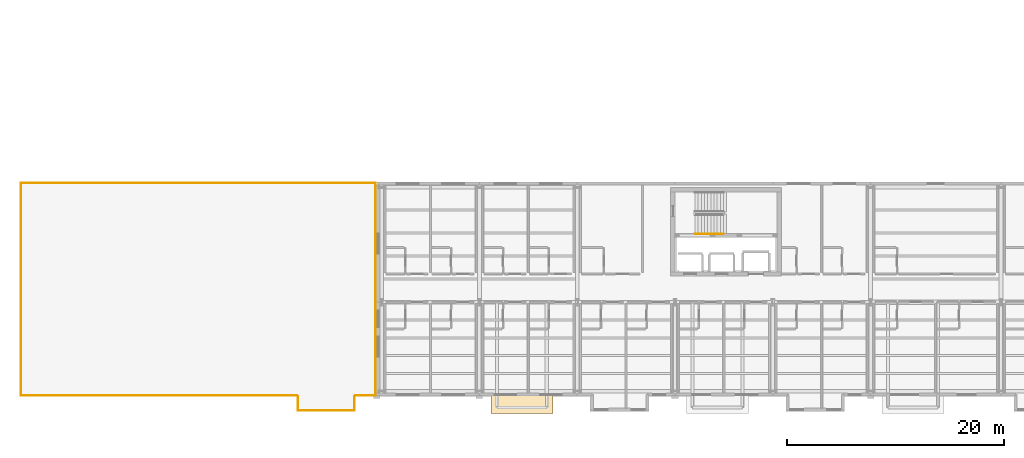
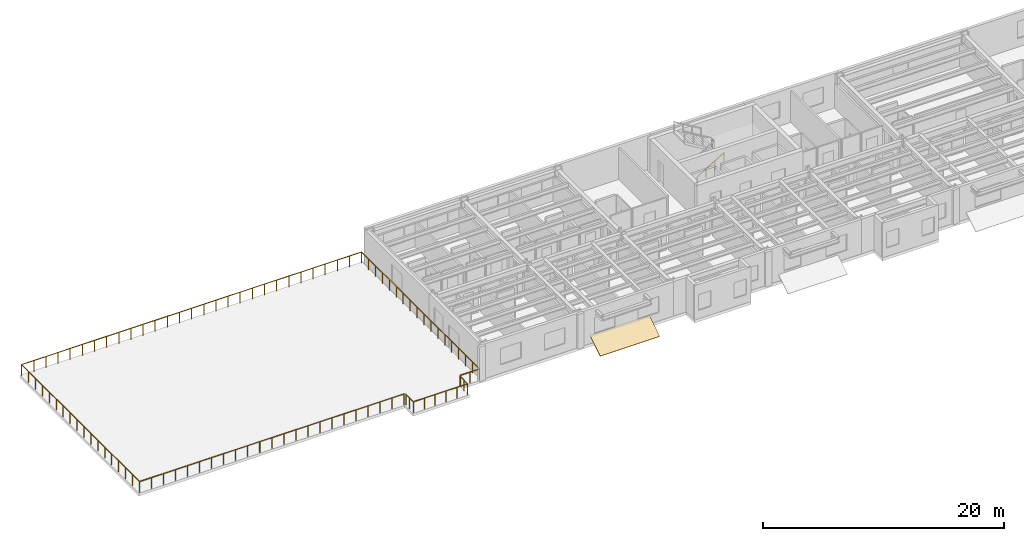
# One storey, part 20 of 23: 9 railings, 1 covering.
"""IFC4 building model written with IfcOpenShell, lengths in metres."""

import ifcopenshell
import ifcopenshell.guid

model = None  # the IFC model being written
_history = None  # IfcOwnerHistory: only IFC2X3 demands one
_inside = {}  # id of a spatial element -> (the spatial element, [elements in it])
_under = {}  # id of a project, library or spatial element -> (it, [spatial elements below it])
_declared = {}  # id of a project -> (the project, [libraries it declares])
_typed = {}  # id of a type object -> (the type object, [elements of that type])
_made_of = {}  # id of a material, layer set ... -> (it, [elements and type objects made of it])


def new_model(schema):
    """Start an empty IFC model of exactly this schema.

    Asked for "IFC4X3", IfcOpenShell would pick the latest addendum, in which some entities
    have other attributes; the version numbers below select the first issue.
    IFC2X3 requires an IfcOwnerHistory on every rooted entity: one is made here for all.
    """
    global model, _history
    if schema == "IFC4X3":
        model = ifcopenshell.file(schema_version=(4, 3, 0, 0))
    else:
        model = ifcopenshell.file(schema=schema)
    _inside.clear()
    _under.clear()
    _declared.clear()
    _typed.clear()
    _made_of.clear()
    _history = None
    if model.schema == "IFC2X3":
        org = make("IfcOrganization", Name="unknown")
        user = make(
            "IfcPersonAndOrganization",
            ThePerson=make("IfcPerson", FamilyName="unknown"),
            TheOrganization=org,
        )
        app = make(
            "IfcApplication",
            ApplicationDeveloper=org,
            Version="unknown",
            ApplicationFullName="unknown",
            ApplicationIdentifier="unknown",
        )
        _history = make(
            "IfcOwnerHistory",
            OwningUser=user,
            OwningApplication=app,
            ChangeAction="ADDED",
            CreationDate=0,
        )
    return model


def make(cls, **values):
    """One entity of the class cls with the attributes given. An attribute that is None is left unset."""
    return model.create_entity(
        cls, **{name: value for name, value in values.items() if value is not None}
    )


def rooted(cls, **values):
    """An entity with a GlobalId (a new one), such as an element, a storey or a relation."""
    return make(cls, GlobalId=ifcopenshell.guid.new(), OwnerHistory=_history, **values)


def si_unit(unit_type, name, prefix=None):
    """IfcSIUnit, for example si_unit("LENGTHUNIT", "METRE", prefix="MILLI")."""
    return make("IfcSIUnit", UnitType=unit_type, Prefix=prefix, Name=name)


def assignment(units):
    """IfcUnitAssignment: the units of a project."""
    return None if units is None else make("IfcUnitAssignment", Units=units)


def point(xyz):
    """IfcCartesianPoint."""
    return None if xyz is None else make("IfcCartesianPoint", Coordinates=xyz)


def direction(xyz):
    """IfcDirection."""
    return None if xyz is None else make("IfcDirection", DirectionRatios=xyz)


def frame(location, z_axis=None, x_axis=None):
    """IfcAxis2Placement3D, a coordinate frame: its origin and axes. An axis left out is left unset."""
    return make(
        "IfcAxis2Placement3D",
        Location=point(location),
        Axis=direction(z_axis),
        RefDirection=direction(x_axis),
    )


def frame_2d(location, x_axis=None):
    """IfcAxis2Placement2D, a coordinate frame in the plane: its origin and x axis."""
    return make(
        "IfcAxis2Placement2D", Location=point(location), RefDirection=direction(x_axis)
    )


def origin():
    """The frame at (0, 0, 0) with its axes left unset."""
    return frame((0.0, 0.0, 0.0))


def origin_2d():
    """The frame at (0, 0) in the plane with its x axis left unset."""
    return frame_2d((0.0, 0.0))


def place(relative_to, where):
    """IfcLocalPlacement: puts the frame where relative to a parent placement (None: the world)."""
    return make(
        "IfcLocalPlacement", PlacementRelTo=relative_to, RelativePlacement=where
    )


def context(
    kind, dimensions, precision=None, world=None, true_north=None, identifier=None
):
    """IfcGeometricRepresentationContext, for example the 3D "Model" context."""
    return make(
        "IfcGeometricRepresentationContext",
        ContextIdentifier=identifier,
        ContextType=kind,
        CoordinateSpaceDimension=dimensions,
        Precision=precision,
        WorldCoordinateSystem=world,
        TrueNorth=true_north,
    )


def subcontext(parent, identifier, kind, view, scale=None):
    """IfcGeometricRepresentationSubContext, for example "Body" below "Model"."""
    return make(
        "IfcGeometricRepresentationSubContext",
        ContextIdentifier=identifier,
        ContextType=kind,
        ParentContext=parent,
        TargetScale=scale,
        TargetView=view,
    )


def project(units=None, contexts=None):
    """IfcProject with its units and contexts."""
    return rooted(
        "IfcProject",
        Name="project",
        RepresentationContexts=contexts,
        UnitsInContext=assignment(units),
    )


def spatial(cls, under=None, at=None, **own):
    """A site, building, storey or space (cls), placed at a placement, below another one or the project."""
    s = rooted(cls, ObjectPlacement=at, **own)
    if under is not None:
        _under.setdefault(under.id(), (under, []))[1].append(s)
    return s


def polyline(points):
    """IfcPolyline through the points."""
    return make("IfcPolyline", Points=[point(p) for p in points])


def profile(cls, at=None, kind="AREA", **sizes):
    """A parametric profile (cls). Its sizes go by their IFC names, for example OverallWidth=200.0."""
    return make(cls, ProfileType=kind, Position=at, **sizes)


def circle(**sizes):
    """IfcCircleProfileDef."""
    return profile("IfcCircleProfileDef", **sizes)


def outline(outer, holes=None, kind="AREA"):
    """IfcArbitraryClosedProfileDef: a profile drawn as a closed curve; with holes, ...WithVoids."""
    if holes is None:
        return make("IfcArbitraryClosedProfileDef", ProfileType=kind, OuterCurve=outer)
    return make(
        "IfcArbitraryProfileDefWithVoids",
        ProfileType=kind,
        OuterCurve=outer,
        InnerCurves=holes,
    )


def extrude(swept, where, along, depth):
    """IfcExtrudedAreaSolid: the profile swept, set in the frame where, extruded along a direction by depth."""
    return make(
        "IfcExtrudedAreaSolid",
        SweptArea=swept,
        Position=where,
        ExtrudedDirection=direction(along),
        Depth=depth,
    )


def shape(context_of_items, identifier, shape_type, items):
    """IfcShapeRepresentation: the items that make up one representation, for example the "Body"."""
    return make(
        "IfcShapeRepresentation",
        ContextOfItems=context_of_items,
        RepresentationIdentifier=identifier,
        RepresentationType=shape_type,
        Items=items,
    )


def material(Name=None, Category=None):
    """IfcMaterial."""
    return make("IfcMaterial", Name=Name, Category=Category)


def layer(
    of_material, thickness, ventilated=None, Name=None, Category=None, Priority=None
):
    """IfcMaterialLayer: one layer of a wall or slab, of a material (None: an air gap)."""
    return make(
        "IfcMaterialLayer",
        Material=of_material,
        LayerThickness=thickness,
        IsVentilated=ventilated,
        Name=Name,
        Category=Category,
        Priority=Priority,
    )


def layer_set(layers, Name=None):
    """IfcMaterialLayerSet."""
    return make("IfcMaterialLayerSet", MaterialLayers=layers, LayerSetName=Name)


def made_of(thing, what):
    """Note that an element or type object is made of a material, layer set ...; save() writes the relation."""
    if what is not None:
        _made_of.setdefault(what.id(), (what, []))[1].append(thing)
    return thing


def type_object(cls, material=None, **own):
    """A type object (cls), such as IfcWallType, which elements share."""
    return made_of(rooted(cls, **own), material)


def element(
    cls,
    number,
    at=None,
    inside=None,
    cuts=None,
    type_object=None,
    material=None,
    context=None,
    identifier="Body",
    shape_type=None,
    held_by="IfcProductDefinitionShape",
    body=None,
    shapes=None,
    **own,
):
    """One element of the class cls, such as IfcWall. Its Tag is "e" and its number.

    at: its placement. inside: the storey or other place that contains it. cuts: it is an
    opening in that element (IfcRelVoidsElement). A single representation is given by context,
    identifier, shape_type and body (its items); several are given by shapes. held_by: the class
    of the entity that holds the representations. save() writes the other relations.
    """
    e = rooted(cls, Tag="e%d" % number, ObjectPlacement=at, **own)
    if body is not None:
        shapes = [shape(context, identifier, shape_type, body)]
    if shapes is not None:
        e.Representation = make(held_by, Representations=shapes)
    if inside is not None:
        _inside.setdefault(inside.id(), (inside, []))[1].append(e)
    if cuts is not None:
        rooted(
            "IfcRelVoidsElement", RelatingBuildingElement=cuts, RelatedOpeningElement=e
        )
    if type_object is not None:
        _typed.setdefault(type_object.id(), (type_object, []))[1].append(e)
    return made_of(e, material)


def aggregate(whole, parts):
    """IfcRelAggregates: a whole, such as a stair, and the parts it consists of."""
    return rooted("IfcRelAggregates", RelatingObject=whole, RelatedObjects=parts)


def save(model, path):
    """Write the relations noted so far, then the file.

    IfcRelAggregates (storeys below a building ...), IfcRelContainedInSpatialStructure (elements
    in a storey), IfcRelDefinesByType, IfcRelAssociatesMaterial and IfcRelDeclares: one each for
    every whole, place, type object, material and project.
    """
    for whole, parts in _under.values():
        aggregate(whole, parts)
    for where, things in _inside.values():
        rooted(
            "IfcRelContainedInSpatialStructure",
            RelatedElements=things,
            RelatingStructure=where,
        )
    for kind, things in _typed.values():
        rooted("IfcRelDefinesByType", RelatedObjects=things, RelatingType=kind)
    for what, things in _made_of.values():
        rooted("IfcRelAssociatesMaterial", RelatedObjects=things, RelatingMaterial=what)
    for by, libraries in _declared.values():
        rooted("IfcRelDeclares", RelatingContext=by, RelatedDefinitions=libraries)
    model.write(path)


model = new_model("IFC4")

# Units and contexts
model_context = context("Model", 3, precision=1e-05, world=origin(), true_north=direction((0.0, 1.0)))
body_context = subcontext(model_context, "Body", "Model", "MODEL_VIEW")
ifc_project = project(units=[si_unit("LENGTHUNIT", "METRE"), si_unit("AREAUNIT", "SQUARE_METRE"), si_unit("VOLUMEUNIT", "CUBIC_METRE"), si_unit("PLANEANGLEUNIT", "RADIAN"), si_unit("MASSUNIT", "GRAM", prefix="KILO")], contexts=[model_context])

# Site, building, storey
site_placement = place(None, origin())
site = spatial("IfcSite", under=ifc_project, at=site_placement, CompositionType="ELEMENT")
building_placement = place(site_placement, origin())
building = spatial("IfcBuilding", under=site, at=building_placement, Name="Sollismere Congress Hotel", CompositionType="ELEMENT")
storey_placement = place(building_placement, frame((0.0, 0.0, 30.60009765625)))
storey = spatial("IfcBuildingStorey", under=building, at=storey_placement, Name="L07", CompositionType="ELEMENT", Elevation=30.60009765625)

# Covering
ifc_material_1 = material(Name="Standing-Seam Titanium-Zinc Roof Assembly")
ifc_layer = layer(ifc_material_1, 0.054931640625, Name="Standing-Seam Titanium-Zinc Roof Assembly")
ifc_layer_set = layer_set([ifc_layer], Name="Standing-Seam Titanium-Zinc Roof Assembly")
covering_type = type_object("IfcCoveringType", Name="CV-RFZNC", PredefinedType="ROOFING", material=ifc_layer_set)
covering_placement = place(storey_placement, frame((77.050048828125, -2.008056640625, -0.373291015625), z_axis=(0.0, -0.525209771298, 0.850972794003), x_axis=(1.0, 0.0, 0.0)))
element("IfcCovering", 1, at=covering_placement, inside=storey, type_object=covering_type, Name="Cikma bay sacak hood SL-CKH-16", PredefinedType="ROOFING", context=body_context, shape_type="SweptSolid", body=[
    extrude(outline(polyline([(0.0, 0.0), (5.699951171875, 0.0), (5.699951171875, 2.056396484375), (0.0, 2.056396484375), (0.0, 0.0)])), origin(), (0.0, 0.0, 1.0), 0.080078125),
])

# Railings
ifc_material_2 = material(Name="Laminated Safety Glass & Bronze Cap Rail", Category="glass")
railing_type_1 = type_object("IfcRailingType", Name="RL-GD112", PredefinedType="GUARDRAIL", material=ifc_material_2)
railing_1_placement = place(storey_placement, frame((64.5, -1.75, 0.0)))
element("IfcRailing", 2, at=railing_1_placement, inside=storey, type_object=railing_type_1, Name="RLG-GD-L07-008", PredefinedType="GUARDRAIL", context=body_context, shape_type="SweptSolid", body=[
    extrude(circle(Radius=0.02392578125, at=origin_2d()), frame((0.0, 0.0, 1.09619140625), z_axis=(-1.0, 0.0, 0.0), x_axis=(0.0, -1.0, 0.0)), (0.0, 0.0, 1.0), 5.199951171875),
    extrude(circle(Radius=0.02099609375, at=origin_2d()), origin(), (0.0, 0.0, 1.0), 1.072021484375),
    extrude(circle(Radius=0.02099609375, at=origin_2d()), frame((-1.0400390625, 0.0, 0.0)), (0.0, 0.0, 1.0), 1.072021484375),
    extrude(circle(Radius=0.02099609375, at=origin_2d()), frame((-2.080078125, 0.0, 0.0)), (0.0, 0.0, 1.0), 1.072021484375),
    extrude(circle(Radius=0.02099609375, at=origin_2d()), frame((-3.119873046875, 0.0, 0.0)), (0.0, 0.0, 1.0), 1.072021484375),
    extrude(circle(Radius=0.02099609375, at=origin_2d()), frame((-4.159912109375, 0.0, 0.0)), (0.0, 0.0, 1.0), 1.072021484375),
    extrude(circle(Radius=0.02099609375, at=origin_2d()), frame((-5.199951171875, 0.0, 0.0)), (0.0, 0.0, 1.0), 1.072021484375),
])
railing_2_placement = place(storey_placement, frame((59.300048828125, -1.75, 0.0)))
element("IfcRailing", 3, at=railing_2_placement, inside=storey, type_object=railing_type_1, Name="RLG-GD-L07-009", PredefinedType="GUARDRAIL", context=body_context, shape_type="SweptSolid", body=[
    extrude(circle(Radius=0.02392578125, at=origin_2d()), frame((0.0, 0.0, 1.09619140625), z_axis=(0.0, 1.0, 0.0), x_axis=(-1.0, 0.0, 0.0)), (0.0, 0.0, 1.0), 1.27001953125),
    extrude(circle(Radius=0.02099609375, at=origin_2d()), origin(), (0.0, 0.0, 1.0), 1.072021484375),
    extrude(circle(Radius=0.02099609375, at=origin_2d()), frame((0.0, 0.635009765625, 0.0)), (0.0, 0.0, 1.0), 1.072021484375),
    extrude(circle(Radius=0.02099609375, at=origin_2d()), frame((0.0, 1.27001953125, 0.0)), (0.0, 0.0, 1.0), 1.072021484375),
])
railing_3_placement = place(storey_placement, frame((59.199951171875, -0.3798828125, 0.0)))
element("IfcRailing", 4, at=railing_3_placement, inside=storey, type_object=railing_type_1, Name="RLG-GD-L07-010", PredefinedType="GUARDRAIL", context=body_context, shape_type="SweptSolid", body=[
    extrude(circle(Radius=0.02392578125, at=origin_2d()), frame((0.0, 0.0, 1.09619140625), z_axis=(-1.0, 0.0, 0.0), x_axis=(0.0, -1.0, 0.0)), (0.0, 0.0, 1.0), 25.3798828125),
    extrude(circle(Radius=0.02099609375, at=origin_2d()), origin(), (0.0, 0.0, 1.0), 1.072021484375),
    extrude(circle(Radius=0.02099609375, at=origin_2d()), frame((-1.153564453125, 0.0, 0.0)), (0.0, 0.0, 1.0), 1.072021484375),
    extrude(circle(Radius=0.02099609375, at=origin_2d()), frame((-2.307373046875, 0.0, 0.0)), (0.0, 0.0, 1.0), 1.072021484375),
    extrude(circle(Radius=0.02099609375, at=origin_2d()), frame((-3.4609375, 0.0, 0.0)), (0.0, 0.0, 1.0), 1.072021484375),
    extrude(circle(Radius=0.02099609375, at=origin_2d()), frame((-4.614501953125, 0.0, 0.0)), (0.0, 0.0, 1.0), 1.072021484375),
    extrude(circle(Radius=0.02099609375, at=origin_2d()), frame((-5.76806640625, 0.0, 0.0)), (0.0, 0.0, 1.0), 1.072021484375),
    extrude(circle(Radius=0.02099609375, at=origin_2d()), frame((-6.921875, 0.0, 0.0)), (0.0, 0.0, 1.0), 1.072021484375),
    extrude(circle(Radius=0.02099609375, at=origin_2d()), frame((-8.075439453125, 0.0, 0.0)), (0.0, 0.0, 1.0), 1.072021484375),
    extrude(circle(Radius=0.02099609375, at=origin_2d()), frame((-9.22900390625, 0.0, 0.0)), (0.0, 0.0, 1.0), 1.072021484375),
    extrude(circle(Radius=0.02099609375, at=origin_2d()), frame((-10.382568359375, 0.0, 0.0)), (0.0, 0.0, 1.0), 1.072021484375),
    extrude(circle(Radius=0.02099609375, at=origin_2d()), frame((-11.536376953125, 0.0, 0.0)), (0.0, 0.0, 1.0), 1.072021484375),
    extrude(circle(Radius=0.02099609375, at=origin_2d()), frame((-12.68994140625, 0.0, 0.0)), (0.0, 0.0, 1.0), 1.072021484375),
    extrude(circle(Radius=0.02099609375, at=origin_2d()), frame((-13.843505859375, 0.0, 0.0)), (0.0, 0.0, 1.0), 1.072021484375),
    extrude(circle(Radius=0.02099609375, at=origin_2d()), frame((-14.997314453125, 0.0, 0.0)), (0.0, 0.0, 1.0), 1.072021484375),
    extrude(circle(Radius=0.02099609375, at=origin_2d()), frame((-16.15087890625, 0.0, 0.0)), (0.0, 0.0, 1.0), 1.072021484375),
    extrude(circle(Radius=0.02099609375, at=origin_2d()), frame((-17.304443359375, 0.0, 0.0)), (0.0, 0.0, 1.0), 1.072021484375),
    extrude(circle(Radius=0.02099609375, at=origin_2d()), frame((-18.4580078125, 0.0, 0.0)), (0.0, 0.0, 1.0), 1.072021484375),
    extrude(circle(Radius=0.02099609375, at=origin_2d()), frame((-19.61181640625, 0.0, 0.0)), (0.0, 0.0, 1.0), 1.072021484375),
    extrude(circle(Radius=0.02099609375, at=origin_2d()), frame((-20.765380859375, 0.0, 0.0)), (0.0, 0.0, 1.0), 1.072021484375),
    extrude(circle(Radius=0.02099609375, at=origin_2d()), frame((-21.9189453125, 0.0, 0.0)), (0.0, 0.0, 1.0), 1.072021484375),
    extrude(circle(Radius=0.02099609375, at=origin_2d()), frame((-23.072509765625, 0.0, 0.0)), (0.0, 0.0, 1.0), 1.072021484375),
    extrude(circle(Radius=0.02099609375, at=origin_2d()), frame((-24.226318359375, 0.0, 0.0)), (0.0, 0.0, 1.0), 1.072021484375),
    extrude(circle(Radius=0.02099609375, at=origin_2d()), frame((-25.3798828125, 0.0, 0.0)), (0.0, 0.0, 1.0), 1.072021484375),
])
railing_4_placement = place(storey_placement, frame((33.820068359375, -0.3798828125, 0.0)))
element("IfcRailing", 5, at=railing_4_placement, inside=storey, type_object=railing_type_1, Name="RLG-GD-L07-011", PredefinedType="GUARDRAIL", context=body_context, shape_type="SweptSolid", body=[
    extrude(circle(Radius=0.02392578125, at=origin_2d()), frame((0.0, 0.0, 1.09619140625), z_axis=(0.0, 1.0, 0.0), x_axis=(-1.0, 0.0, 0.0)), (0.0, 0.0, 1.0), 19.559814453125),
    extrude(circle(Radius=0.02099609375, at=origin_2d()), origin(), (0.0, 0.0, 1.0), 1.072021484375),
    extrude(circle(Radius=0.02099609375, at=origin_2d()), frame((0.0, 1.150634765625, 0.0)), (0.0, 0.0, 1.0), 1.072021484375),
    extrude(circle(Radius=0.02099609375, at=origin_2d()), frame((0.0, 2.30126953125, 0.0)), (0.0, 0.0, 1.0), 1.072021484375),
    extrude(circle(Radius=0.02099609375, at=origin_2d()), frame((0.0, 3.45166015625, 0.0)), (0.0, 0.0, 1.0), 1.072021484375),
    extrude(circle(Radius=0.02099609375, at=origin_2d()), frame((0.0, 4.602294921875, 0.0)), (0.0, 0.0, 1.0), 1.072021484375),
    extrude(circle(Radius=0.02099609375, at=origin_2d()), frame((0.0, 5.7529296875, 0.0)), (0.0, 0.0, 1.0), 1.072021484375),
    extrude(circle(Radius=0.02099609375, at=origin_2d()), frame((0.0, 6.903564453125, 0.0)), (0.0, 0.0, 1.0), 1.072021484375),
    extrude(circle(Radius=0.02099609375, at=origin_2d()), frame((0.0, 8.053955078125, 0.0)), (0.0, 0.0, 1.0), 1.072021484375),
    extrude(circle(Radius=0.02099609375, at=origin_2d()), frame((0.0, 9.20458984375, 0.0)), (0.0, 0.0, 1.0), 1.072021484375),
    extrude(circle(Radius=0.02099609375, at=origin_2d()), frame((0.0, 10.355224609375, 0.0)), (0.0, 0.0, 1.0), 1.072021484375),
    extrude(circle(Radius=0.02099609375, at=origin_2d()), frame((0.0, 11.505859375, 0.0)), (0.0, 0.0, 1.0), 1.072021484375),
    extrude(circle(Radius=0.02099609375, at=origin_2d()), frame((0.0, 12.65625, 0.0)), (0.0, 0.0, 1.0), 1.072021484375),
    extrude(circle(Radius=0.02099609375, at=origin_2d()), frame((0.0, 13.806884765625, 0.0)), (0.0, 0.0, 1.0), 1.072021484375),
    extrude(circle(Radius=0.02099609375, at=origin_2d()), frame((0.0, 14.95751953125, 0.0)), (0.0, 0.0, 1.0), 1.072021484375),
    extrude(circle(Radius=0.02099609375, at=origin_2d()), frame((0.0, 16.108154296875, 0.0)), (0.0, 0.0, 1.0), 1.072021484375),
    extrude(circle(Radius=0.02099609375, at=origin_2d()), frame((0.0, 17.258544921875, 0.0)), (0.0, 0.0, 1.0), 1.072021484375),
    extrude(circle(Radius=0.02099609375, at=origin_2d()), frame((0.0, 18.4091796875, 0.0)), (0.0, 0.0, 1.0), 1.072021484375),
    extrude(circle(Radius=0.02099609375, at=origin_2d()), frame((0.0, 19.559814453125, 0.0)), (0.0, 0.0, 1.0), 1.072021484375),
])
railing_5_placement = place(storey_placement, frame((33.820068359375, 19.179931640625, 0.0)))
element("IfcRailing", 6, at=railing_5_placement, inside=storey, type_object=railing_type_1, Name="RLG-GD-L07-012", PredefinedType="GUARDRAIL", context=body_context, shape_type="SweptSolid", body=[
    extrude(circle(Radius=0.02392578125, at=origin_2d()), frame((0.0, 0.0, 1.09619140625), z_axis=(1.0, 0.0, 0.0), x_axis=(0.0, 1.0, 0.0)), (0.0, 0.0, 1.0), 32.599853515625),
    extrude(circle(Radius=0.02099609375, at=origin_2d()), origin(), (0.0, 0.0, 1.0), 1.072021484375),
    extrude(circle(Radius=0.02099609375, at=origin_2d()), frame((1.164306640625, 0.0, 0.0)), (0.0, 0.0, 1.0), 1.072021484375),
    extrude(circle(Radius=0.02099609375, at=origin_2d()), frame((2.32861328125, 0.0, 0.0)), (0.0, 0.0, 1.0), 1.072021484375),
    extrude(circle(Radius=0.02099609375, at=origin_2d()), frame((3.492919921875, 0.0, 0.0)), (0.0, 0.0, 1.0), 1.072021484375),
    extrude(circle(Radius=0.02099609375, at=origin_2d()), frame((4.6572265625, 0.0, 0.0)), (0.0, 0.0, 1.0), 1.072021484375),
    extrude(circle(Radius=0.02099609375, at=origin_2d()), frame((5.8212890625, 0.0, 0.0)), (0.0, 0.0, 1.0), 1.072021484375),
    extrude(circle(Radius=0.02099609375, at=origin_2d()), frame((6.985595703125, 0.0, 0.0)), (0.0, 0.0, 1.0), 1.072021484375),
    extrude(circle(Radius=0.02099609375, at=origin_2d()), frame((8.14990234375, 0.0, 0.0)), (0.0, 0.0, 1.0), 1.072021484375),
    extrude(circle(Radius=0.02099609375, at=origin_2d()), frame((9.314208984375, 0.0, 0.0)), (0.0, 0.0, 1.0), 1.072021484375),
    extrude(circle(Radius=0.02099609375, at=origin_2d()), frame((10.478515625, 0.0, 0.0)), (0.0, 0.0, 1.0), 1.072021484375),
    extrude(circle(Radius=0.02099609375, at=origin_2d()), frame((11.642822265625, 0.0, 0.0)), (0.0, 0.0, 1.0), 1.072021484375),
    extrude(circle(Radius=0.02099609375, at=origin_2d()), frame((12.80712890625, 0.0, 0.0)), (0.0, 0.0, 1.0), 1.072021484375),
    extrude(circle(Radius=0.02099609375, at=origin_2d()), frame((13.971435546875, 0.0, 0.0)), (0.0, 0.0, 1.0), 1.072021484375),
    extrude(circle(Radius=0.02099609375, at=origin_2d()), frame((15.1357421875, 0.0, 0.0)), (0.0, 0.0, 1.0), 1.072021484375),
    extrude(circle(Radius=0.02099609375, at=origin_2d()), frame((16.2998046875, 0.0, 0.0)), (0.0, 0.0, 1.0), 1.072021484375),
    extrude(circle(Radius=0.02099609375, at=origin_2d()), frame((17.464111328125, 0.0, 0.0)), (0.0, 0.0, 1.0), 1.072021484375),
    extrude(circle(Radius=0.02099609375, at=origin_2d()), frame((18.62841796875, 0.0, 0.0)), (0.0, 0.0, 1.0), 1.072021484375),
    extrude(circle(Radius=0.02099609375, at=origin_2d()), frame((19.792724609375, 0.0, 0.0)), (0.0, 0.0, 1.0), 1.072021484375),
    extrude(circle(Radius=0.02099609375, at=origin_2d()), frame((20.95703125, 0.0, 0.0)), (0.0, 0.0, 1.0), 1.072021484375),
    extrude(circle(Radius=0.02099609375, at=origin_2d()), frame((22.121337890625, 0.0, 0.0)), (0.0, 0.0, 1.0), 1.072021484375),
    extrude(circle(Radius=0.02099609375, at=origin_2d()), frame((23.28564453125, 0.0, 0.0)), (0.0, 0.0, 1.0), 1.072021484375),
    extrude(circle(Radius=0.02099609375, at=origin_2d()), frame((24.449951171875, 0.0, 0.0)), (0.0, 0.0, 1.0), 1.072021484375),
    extrude(circle(Radius=0.02099609375, at=origin_2d()), frame((25.6142578125, 0.0, 0.0)), (0.0, 0.0, 1.0), 1.072021484375),
    extrude(circle(Radius=0.02099609375, at=origin_2d()), frame((26.778564453125, 0.0, 0.0)), (0.0, 0.0, 1.0), 1.072021484375),
    extrude(circle(Radius=0.02099609375, at=origin_2d()), frame((27.942626953125, 0.0, 0.0)), (0.0, 0.0, 1.0), 1.072021484375),
    extrude(circle(Radius=0.02099609375, at=origin_2d()), frame((29.10693359375, 0.0, 0.0)), (0.0, 0.0, 1.0), 1.072021484375),
    extrude(circle(Radius=0.02099609375, at=origin_2d()), frame((30.271240234375, 0.0, 0.0)), (0.0, 0.0, 1.0), 1.072021484375),
    extrude(circle(Radius=0.02099609375, at=origin_2d()), frame((31.435546875, 0.0, 0.0)), (0.0, 0.0, 1.0), 1.072021484375),
    extrude(circle(Radius=0.02099609375, at=origin_2d()), frame((32.599853515625, 0.0, 0.0)), (0.0, 0.0, 1.0), 1.072021484375),
])
railing_6_placement = place(storey_placement, frame((66.419921875, 19.179931640625, 0.0)))
element("IfcRailing", 7, at=railing_6_placement, inside=storey, type_object=railing_type_1, Name="RLG-GD-L07-013", PredefinedType="GUARDRAIL", context=body_context, shape_type="SweptSolid", body=[
    extrude(circle(Radius=0.02392578125, at=origin_2d()), frame((0.0, 0.0, 1.09619140625), z_axis=(0.0, -1.0, 0.0), x_axis=(1.0, 0.0, 0.0)), (0.0, 0.0, 1.0), 19.559814453125),
    extrude(circle(Radius=0.02099609375, at=origin_2d()), origin(), (0.0, 0.0, 1.0), 1.072021484375),
    extrude(circle(Radius=0.02099609375, at=origin_2d()), frame((0.0, -1.150634765625, 0.0)), (0.0, 0.0, 1.0), 1.072021484375),
    extrude(circle(Radius=0.02099609375, at=origin_2d()), frame((0.0, -2.30126953125, 0.0)), (0.0, 0.0, 1.0), 1.072021484375),
    extrude(circle(Radius=0.02099609375, at=origin_2d()), frame((0.0, -3.45166015625, 0.0)), (0.0, 0.0, 1.0), 1.072021484375),
    extrude(circle(Radius=0.02099609375, at=origin_2d()), frame((0.0, -4.602294921875, 0.0)), (0.0, 0.0, 1.0), 1.072021484375),
    extrude(circle(Radius=0.02099609375, at=origin_2d()), frame((0.0, -5.7529296875, 0.0)), (0.0, 0.0, 1.0), 1.072021484375),
    extrude(circle(Radius=0.02099609375, at=origin_2d()), frame((0.0, -6.903564453125, 0.0)), (0.0, 0.0, 1.0), 1.072021484375),
    extrude(circle(Radius=0.02099609375, at=origin_2d()), frame((0.0, -8.053955078125, 0.0)), (0.0, 0.0, 1.0), 1.072021484375),
    extrude(circle(Radius=0.02099609375, at=origin_2d()), frame((0.0, -9.20458984375, 0.0)), (0.0, 0.0, 1.0), 1.072021484375),
    extrude(circle(Radius=0.02099609375, at=origin_2d()), frame((0.0, -10.355224609375, 0.0)), (0.0, 0.0, 1.0), 1.072021484375),
    extrude(circle(Radius=0.02099609375, at=origin_2d()), frame((0.0, -11.505859375, 0.0)), (0.0, 0.0, 1.0), 1.072021484375),
    extrude(circle(Radius=0.02099609375, at=origin_2d()), frame((0.0, -12.65625, 0.0)), (0.0, 0.0, 1.0), 1.072021484375),
    extrude(circle(Radius=0.02099609375, at=origin_2d()), frame((0.0, -13.806884765625, 0.0)), (0.0, 0.0, 1.0), 1.072021484375),
    extrude(circle(Radius=0.02099609375, at=origin_2d()), frame((0.0, -14.95751953125, 0.0)), (0.0, 0.0, 1.0), 1.072021484375),
    extrude(circle(Radius=0.02099609375, at=origin_2d()), frame((0.0, -16.108154296875, 0.0)), (0.0, 0.0, 1.0), 1.072021484375),
    extrude(circle(Radius=0.02099609375, at=origin_2d()), frame((0.0, -17.258544921875, 0.0)), (0.0, 0.0, 1.0), 1.072021484375),
    extrude(circle(Radius=0.02099609375, at=origin_2d()), frame((0.0, -18.4091796875, 0.0)), (0.0, 0.0, 1.0), 1.072021484375),
    extrude(circle(Radius=0.02099609375, at=origin_2d()), frame((0.0, -19.559814453125, 0.0)), (0.0, 0.0, 1.0), 1.072021484375),
])
railing_7_placement = place(storey_placement, frame((66.419921875, -0.3798828125, 0.0)))
element("IfcRailing", 8, at=railing_7_placement, inside=storey, type_object=railing_type_1, Name="RLG-GD-L07-014", PredefinedType="GUARDRAIL", context=body_context, shape_type="SweptSolid", body=[
    extrude(circle(Radius=0.02392578125, at=origin_2d()), frame((0.0, 0.0, 1.09619140625), z_axis=(-1.0, 0.0, 0.0), x_axis=(0.0, -1.0, 0.0)), (0.0, 0.0, 1.0), 1.81982421875),
    extrude(circle(Radius=0.02099609375, at=origin_2d()), origin(), (0.0, 0.0, 1.0), 1.072021484375),
    extrude(circle(Radius=0.02099609375, at=origin_2d()), frame((-0.909912109375, 0.0, 0.0)), (0.0, 0.0, 1.0), 1.072021484375),
    extrude(circle(Radius=0.02099609375, at=origin_2d()), frame((-1.81982421875, 0.0, 0.0)), (0.0, 0.0, 1.0), 1.072021484375),
])
railing_8_placement = place(storey_placement, frame((64.5, -0.47998046875, 0.0)))
element("IfcRailing", 9, at=railing_8_placement, inside=storey, type_object=railing_type_1, Name="RLG-GD-L07-015", PredefinedType="GUARDRAIL", context=body_context, shape_type="SweptSolid", body=[
    extrude(circle(Radius=0.02392578125, at=origin_2d()), frame((0.0, 0.0, 1.09619140625), z_axis=(0.0, -1.0, 0.0), x_axis=(1.0, 0.0, 0.0)), (0.0, 0.0, 1.0), 1.27001953125),
    extrude(circle(Radius=0.02099609375, at=origin_2d()), origin(), (0.0, 0.0, 1.0), 1.072021484375),
    extrude(circle(Radius=0.02099609375, at=origin_2d()), frame((0.0, -0.635009765625, 0.0)), (0.0, 0.0, 1.0), 1.072021484375),
    extrude(circle(Radius=0.02099609375, at=origin_2d()), frame((0.0, -1.27001953125, 0.0)), (0.0, 0.0, 1.0), 1.072021484375),
])
ifc_material_3 = material(Name="Brushed Architectural Bronze")
railing_type_2 = type_object("IfcRailingType", Name="RL-HND90", PredefinedType="HANDRAIL", material=ifc_material_3)
railing_9_placement = place(storey_placement, frame((95.85009765625, 14.5, 0.325927734375)))
element("IfcRailing", 10, at=railing_9_placement, inside=storey, type_object=railing_type_2, Name="RLG-RH-ST-02-L07-1", PredefinedType="HANDRAIL", context=body_context, shape_type="SweptSolid", body=[
    extrude(circle(Radius=0.02392578125, at=origin_2d()), frame((0.0, 0.0, 0.8759765625), z_axis=(0.85618277418, 0.0, 0.516673066065), x_axis=(0.0, 1.0, 0.0)), (0.0, 0.0, 1.0), 3.04833984375),
    extrude(circle(Radius=0.02099609375, at=origin_2d()), origin(), (0.0, 0.0, 1.0), 0.851806640625),
    extrude(circle(Radius=0.02099609375, at=origin_2d()), frame((0.869873046875, 0.0, 0.52490234375)), (0.0, 0.0, 1.0), 0.851806640625),
    extrude(circle(Radius=0.02099609375, at=origin_2d()), frame((1.739990234375, 0.0, 1.050048828125)), (0.0, 0.0, 1.0), 0.851806640625),
    extrude(circle(Radius=0.02099609375, at=origin_2d()), frame((2.60986328125, 0.0, 1.574951171875)), (0.0, 0.0, 1.0), 0.851806640625),
])

save(model, "model.ifc")
